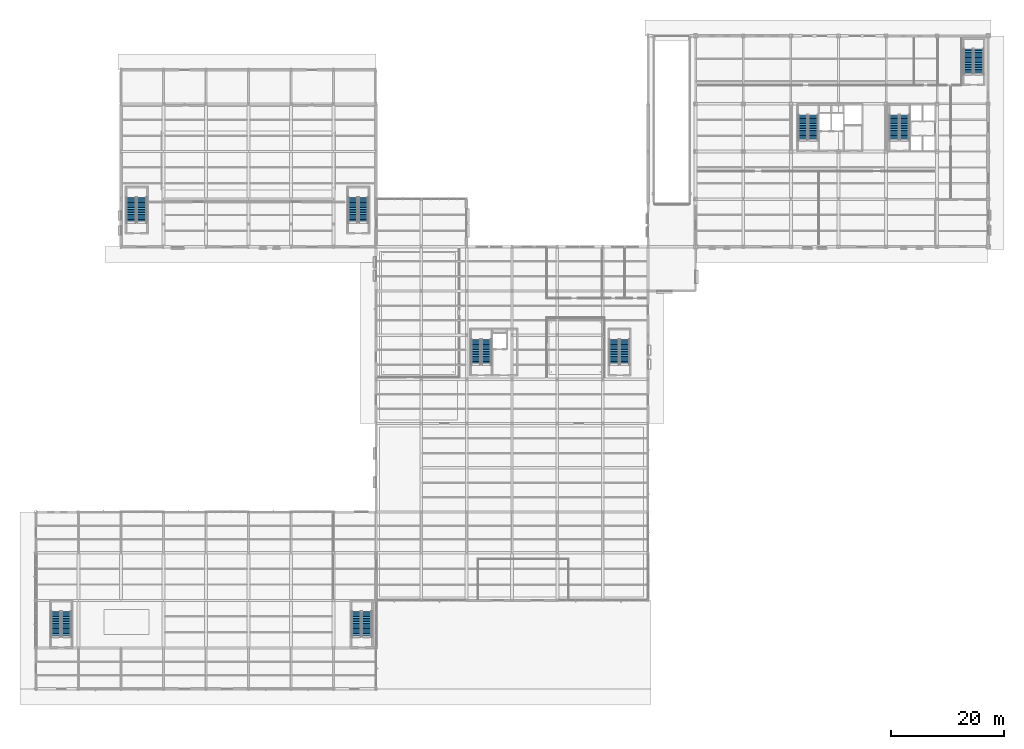
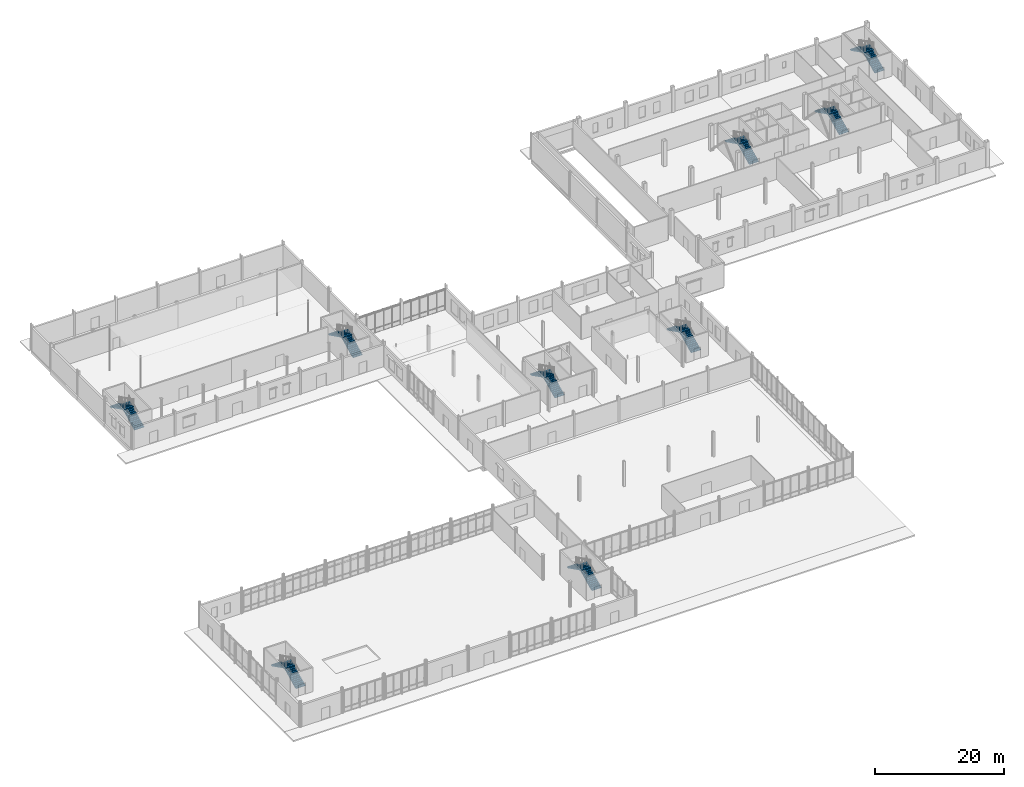
# One storey, part 61 of 82: 18 stair flights, 9 elements without a shape of their own.
"""IFC4 building model written with IfcOpenShell, lengths in metres."""

from ifc_helpers import new_model, si_unit, direction, frame, origin, place, context, subcontext, project, spatial, polyline, outline, extrude, material, type_object, element, aggregate, save


model = new_model("IFC4")

# Units and contexts
model_context = context("Model", 3, precision=1e-05, world=origin(), true_north=direction((0.0, 1.0)))
body_context = subcontext(model_context, "Body", "Model", "MODEL_VIEW")
ifc_project = project(units=[si_unit("LENGTHUNIT", "METRE"), si_unit("AREAUNIT", "SQUARE_METRE"), si_unit("VOLUMEUNIT", "CUBIC_METRE"), si_unit("PLANEANGLEUNIT", "RADIAN"), si_unit("MASSUNIT", "GRAM", prefix="KILO")], contexts=[model_context])

# Site, building, storey
site_placement = place(None, origin())
site = spatial("IfcSite", under=ifc_project, at=site_placement, CompositionType="ELEMENT")
building_placement = place(site_placement, origin())
building = spatial("IfcBuilding", under=site, at=building_placement, Name="Yukiwa Park Conservatory and Herbarium", CompositionType="ELEMENT")
storey_placement = place(building_placement, origin())
storey = spatial("IfcBuildingStorey", under=building, at=storey_placement, Name="L00", CompositionType="ELEMENT", Elevation=0.0)

# Stair, stair flights
ifc_material_1 = material(Name="Concrete C40", Category="concrete")
stair_type_1 = type_object("IfcStairType", Name="ST-DOGLEG-ST-T1", PredefinedType="HALF_TURN_STAIR", material=ifc_material_1)
stair_1_placement = place(storey_placement, origin())
stair_1 = element("IfcStair", 1, at=stair_1_placement, inside=storey, type_object=stair_type_1, Name="L00 Protected Smoke-Proof Stair ST-T1", PredefinedType="HALF_TURN_STAIR")
ifc_material_2 = material(Name="Concrete C40", Category="concrete")
stair_flight_type_1 = type_object("IfcStairFlightType", Name="STF-RC-1680", PredefinedType="STRAIGHT", material=ifc_material_2)
stair_flight_1_placement = place(storey_placement, frame((137.159912109375, 96.72998046875, 0.0), z_axis=(0.0, 0.0, 1.0), x_axis=(0.0, 1.0, 0.0)))
stair_flight_1 = element("IfcStairFlight", 2, at=stair_flight_1_placement, type_object=stair_flight_type_1, Name="ST-T1 flight 1", NumberOfRisers=16, NumberOfTreads=15, PredefinedType="STRAIGHT", RiserHeight=0.15, TreadLength=0.3, context=body_context, shape_type="SweptSolid", body=[
    extrude(outline(polyline([(0.0, 0.0), (0.0, 0.14990234375), (0.300048828125, 0.14990234375), (0.300048828125, 0.300048828125), (0.60009765625, 0.300048828125), (0.60009765625, 0.449951171875), (0.89990234375, 0.449951171875), (0.89990234375, 0.60009765625), (1.199951171875, 0.60009765625), (1.199951171875, 0.75), (1.5, 0.75), (1.5, 0.89990234375), (1.800048828125, 0.89990234375), (1.800048828125, 1.050048828125), (2.10009765625, 1.050048828125), (2.10009765625, 1.199951171875), (2.39990234375, 1.199951171875), (2.39990234375, 1.35009765625), (2.699951171875, 1.35009765625), (2.699951171875, 1.5), (3.0, 1.5), (3.0, 1.64990234375), (3.300048828125, 1.64990234375), (3.300048828125, 1.800048828125), (3.60009765625, 1.800048828125), (3.60009765625, 1.949951171875), (3.89990234375, 1.949951171875), (3.89990234375, 2.10009765625), (4.199951171875, 2.10009765625), (4.199951171875, 2.25), (4.5, 2.25), (4.5, 2.39990234375), (4.5, 2.08251953125), (0.335205078125, 0.0), (0.0, 0.0)])), frame((0.0, 0.83984375, 0.0), z_axis=(0.0, -1.0, 0.0), x_axis=(1.0, 0.0, 0.0)), (0.0, 0.0, 1.0), 1.679931640625),
])
stair_flight_2_placement = place(storey_placement, frame((135.330078125, 101.22998046875, 2.39990234375), z_axis=(0.0, 0.0, 1.0), x_axis=(0.0, -1.0, 0.0)))
stair_flight_2 = element("IfcStairFlight", 3, at=stair_flight_2_placement, type_object=stair_flight_type_1, Name="ST-T1 flight 2", NumberOfRisers=16, NumberOfTreads=15, PredefinedType="STRAIGHT", RiserHeight=0.15, TreadLength=0.3, context=body_context, shape_type="SweptSolid", body=[
    extrude(outline(polyline([(0.0, 0.0), (0.0, 0.14990234375), (0.300048828125, 0.14990234375), (0.300048828125, 0.300048828125), (0.60009765625, 0.300048828125), (0.60009765625, 0.449951171875), (0.89990234375, 0.449951171875), (0.89990234375, 0.60009765625), (1.199951171875, 0.60009765625), (1.199951171875, 0.75), (1.5, 0.75), (1.5, 0.89990234375), (1.800048828125, 0.89990234375), (1.800048828125, 1.050048828125), (2.10009765625, 1.050048828125), (2.10009765625, 1.199951171875), (2.39990234375, 1.199951171875), (2.39990234375, 1.35009765625), (2.699951171875, 1.35009765625), (2.699951171875, 1.5), (3.0, 1.5), (3.0, 1.64990234375), (3.300048828125, 1.64990234375), (3.300048828125, 1.800048828125), (3.60009765625, 1.800048828125), (3.60009765625, 1.949951171875), (3.89990234375, 1.949951171875), (3.89990234375, 2.10009765625), (4.199951171875, 2.10009765625), (4.199951171875, 2.25), (4.5, 2.25), (4.5, 2.39990234375), (4.5, 2.08251953125), (0.335205078125, 0.0), (0.0, 0.0)])), frame((0.0, 0.83984375, 0.0), z_axis=(0.0, -1.0, 0.0), x_axis=(1.0, 0.0, 0.0)), (0.0, 0.0, 1.0), 1.679931640625),
])
aggregate(stair_1, [stair_flight_1, stair_flight_2])

ifc_material_3 = material(Name="Concrete C40", Category="concrete")
stair_type_2 = type_object("IfcStairType", Name="ST-DOGLEG-ST-T2", PredefinedType="HALF_TURN_STAIR", material=ifc_material_3)
stair_2_placement = place(storey_placement, origin())
stair_2 = element("IfcStair", 4, at=stair_2_placement, inside=storey, type_object=stair_type_2, Name="L00 Protected Smoke-Proof Stair ST-T2", PredefinedType="HALF_TURN_STAIR")
stair_flight_3_placement = place(storey_placement, frame((153.27001953125, 96.72998046875, 0.0), z_axis=(0.0, 0.0, 1.0), x_axis=(0.0, 1.0, 0.0)))
stair_flight_3 = element("IfcStairFlight", 5, at=stair_flight_3_placement, type_object=stair_flight_type_1, Name="ST-T2 flight 1", NumberOfRisers=16, NumberOfTreads=15, PredefinedType="STRAIGHT", RiserHeight=0.15, TreadLength=0.3, context=body_context, shape_type="SweptSolid", body=[
    extrude(outline(polyline([(0.0, 0.0), (0.0, 0.14990234375), (0.300048828125, 0.14990234375), (0.300048828125, 0.300048828125), (0.60009765625, 0.300048828125), (0.60009765625, 0.449951171875), (0.89990234375, 0.449951171875), (0.89990234375, 0.60009765625), (1.199951171875, 0.60009765625), (1.199951171875, 0.75), (1.5, 0.75), (1.5, 0.89990234375), (1.800048828125, 0.89990234375), (1.800048828125, 1.050048828125), (2.10009765625, 1.050048828125), (2.10009765625, 1.199951171875), (2.39990234375, 1.199951171875), (2.39990234375, 1.35009765625), (2.699951171875, 1.35009765625), (2.699951171875, 1.5), (3.0, 1.5), (3.0, 1.64990234375), (3.300048828125, 1.64990234375), (3.300048828125, 1.800048828125), (3.60009765625, 1.800048828125), (3.60009765625, 1.949951171875), (3.89990234375, 1.949951171875), (3.89990234375, 2.10009765625), (4.199951171875, 2.10009765625), (4.199951171875, 2.25), (4.5, 2.25), (4.5, 2.39990234375), (4.5, 2.08251953125), (0.335205078125, 0.0), (0.0, 0.0)])), frame((0.0, 0.83984375, 0.0), z_axis=(0.0, -1.0, 0.0), x_axis=(1.0, 0.0, 0.0)), (0.0, 0.0, 1.0), 1.679931640625),
])
stair_flight_4_placement = place(storey_placement, frame((151.43994140625, 101.22998046875, 2.39990234375), z_axis=(0.0, 0.0, 1.0), x_axis=(0.0, -1.0, 0.0)))
stair_flight_4 = element("IfcStairFlight", 6, at=stair_flight_4_placement, type_object=stair_flight_type_1, Name="ST-T2 flight 2", NumberOfRisers=16, NumberOfTreads=15, PredefinedType="STRAIGHT", RiserHeight=0.15, TreadLength=0.3, context=body_context, shape_type="SweptSolid", body=[
    extrude(outline(polyline([(0.0, 0.0), (0.0, 0.14990234375), (0.300048828125, 0.14990234375), (0.300048828125, 0.300048828125), (0.60009765625, 0.300048828125), (0.60009765625, 0.449951171875), (0.89990234375, 0.449951171875), (0.89990234375, 0.60009765625), (1.199951171875, 0.60009765625), (1.199951171875, 0.75), (1.5, 0.75), (1.5, 0.89990234375), (1.800048828125, 0.89990234375), (1.800048828125, 1.050048828125), (2.10009765625, 1.050048828125), (2.10009765625, 1.199951171875), (2.39990234375, 1.199951171875), (2.39990234375, 1.35009765625), (2.699951171875, 1.35009765625), (2.699951171875, 1.5), (3.0, 1.5), (3.0, 1.64990234375), (3.300048828125, 1.64990234375), (3.300048828125, 1.800048828125), (3.60009765625, 1.800048828125), (3.60009765625, 1.949951171875), (3.89990234375, 1.949951171875), (3.89990234375, 2.10009765625), (4.199951171875, 2.10009765625), (4.199951171875, 2.25), (4.5, 2.25), (4.5, 2.39990234375), (4.5, 2.08251953125), (0.335205078125, 0.0), (0.0, 0.0)])), frame((0.0, 0.83984375, 0.0), z_axis=(0.0, -1.0, 0.0), x_axis=(1.0, 0.0, 0.0)), (0.0, 0.0, 1.0), 1.679931640625),
])
aggregate(stair_2, [stair_flight_3, stair_flight_4])

ifc_material_4 = material(Name="Concrete C40", Category="concrete")
stair_type_3 = type_object("IfcStairType", Name="ST-DOGLEG-ST-T3", PredefinedType="HALF_TURN_STAIR", material=ifc_material_4)
stair_3_placement = place(storey_placement, origin())
stair_3 = element("IfcStair", 7, at=stair_3_placement, inside=storey, type_object=stair_type_3, Name="L00 Protected Smoke-Proof Stair ST-T3", PredefinedType="HALF_TURN_STAIR")
stair_flight_5_placement = place(storey_placement, frame((166.360107421875, 108.3798828125, 0.0), z_axis=(0.0, 0.0, 1.0), x_axis=(0.0, 1.0, 0.0)))
stair_flight_5 = element("IfcStairFlight", 8, at=stair_flight_5_placement, type_object=stair_flight_type_1, Name="ST-T3 flight 1", NumberOfRisers=16, NumberOfTreads=15, PredefinedType="STRAIGHT", RiserHeight=0.15, TreadLength=0.3, context=body_context, shape_type="SweptSolid", body=[
    extrude(outline(polyline([(0.0, 0.0), (0.0, 0.14990234375), (0.300048828125, 0.14990234375), (0.300048828125, 0.300048828125), (0.60009765625, 0.300048828125), (0.60009765625, 0.449951171875), (0.89990234375, 0.449951171875), (0.89990234375, 0.60009765625), (1.199951171875, 0.60009765625), (1.199951171875, 0.75), (1.5, 0.75), (1.5, 0.89990234375), (1.800048828125, 0.89990234375), (1.800048828125, 1.050048828125), (2.10009765625, 1.050048828125), (2.10009765625, 1.199951171875), (2.39990234375, 1.199951171875), (2.39990234375, 1.35009765625), (2.699951171875, 1.35009765625), (2.699951171875, 1.5), (3.0, 1.5), (3.0, 1.64990234375), (3.300048828125, 1.64990234375), (3.300048828125, 1.800048828125), (3.60009765625, 1.800048828125), (3.60009765625, 1.949951171875), (3.89990234375, 1.949951171875), (3.89990234375, 2.10009765625), (4.199951171875, 2.10009765625), (4.199951171875, 2.25), (4.5, 2.25), (4.5, 2.39990234375), (4.5, 2.08251953125), (0.335205078125, 0.0), (0.0, 0.0)])), frame((0.0, 0.83984375, 0.0), z_axis=(0.0, -1.0, 0.0), x_axis=(1.0, 0.0, 0.0)), (0.0, 0.0, 1.0), 1.679931640625),
])
stair_flight_6_placement = place(storey_placement, frame((164.530029296875, 112.8798828125, 2.39990234375), z_axis=(0.0, 0.0, 1.0), x_axis=(0.0, -1.0, 0.0)))
stair_flight_6 = element("IfcStairFlight", 9, at=stair_flight_6_placement, type_object=stair_flight_type_1, Name="ST-T3 flight 2", NumberOfRisers=16, NumberOfTreads=15, PredefinedType="STRAIGHT", RiserHeight=0.15, TreadLength=0.3, context=body_context, shape_type="SweptSolid", body=[
    extrude(outline(polyline([(0.0, 0.0), (0.0, 0.14990234375), (0.300048828125, 0.14990234375), (0.300048828125, 0.300048828125), (0.60009765625, 0.300048828125), (0.60009765625, 0.449951171875), (0.89990234375, 0.449951171875), (0.89990234375, 0.60009765625), (1.199951171875, 0.60009765625), (1.199951171875, 0.75), (1.5, 0.75), (1.5, 0.89990234375), (1.800048828125, 0.89990234375), (1.800048828125, 1.050048828125), (2.10009765625, 1.050048828125), (2.10009765625, 1.199951171875), (2.39990234375, 1.199951171875), (2.39990234375, 1.35009765625), (2.699951171875, 1.35009765625), (2.699951171875, 1.5), (3.0, 1.5), (3.0, 1.64990234375), (3.300048828125, 1.64990234375), (3.300048828125, 1.800048828125), (3.60009765625, 1.800048828125), (3.60009765625, 1.949951171875), (3.89990234375, 1.949951171875), (3.89990234375, 2.10009765625), (4.199951171875, 2.10009765625), (4.199951171875, 2.25), (4.5, 2.25), (4.5, 2.39990234375), (4.5, 2.08251953125), (0.335205078125, 0.0), (0.0, 0.0)])), frame((0.0, 0.83984375, 0.0), z_axis=(0.0, -1.0, 0.0), x_axis=(1.0, 0.0, 0.0)), (0.0, 0.0, 1.0), 1.679931640625),
])
aggregate(stair_3, [stair_flight_5, stair_flight_6])

ifc_material_5 = material(Name="Concrete C40", Category="concrete")
stair_type_4 = type_object("IfcStairType", Name="ST-DOGLEG-ST-C1", PredefinedType="HALF_TURN_STAIR", material=ifc_material_5)
stair_4_placement = place(storey_placement, origin())
stair_4 = element("IfcStair", 10, at=stair_4_placement, inside=storey, type_object=stair_type_4, Name="L00 Conservatory West Exit Stair ST-C1", PredefinedType="HALF_TURN_STAIR")
ifc_material_6 = material(Name="Concrete C40", Category="concrete")
stair_flight_type_2 = type_object("IfcStairFlightType", Name="STF-RC-1700", PredefinedType="STRAIGHT", material=ifc_material_6)
stair_flight_7_placement = place(storey_placement, frame((5.39990234375, 9.14990234375, 0.0), z_axis=(0.0, 0.0, 1.0), x_axis=(0.0, 1.0, 0.0)))
stair_flight_7 = element("IfcStairFlight", 11, at=stair_flight_7_placement, type_object=stair_flight_type_2, Name="ST-C1 flight 1", NumberOfRisers=16, NumberOfTreads=15, PredefinedType="STRAIGHT", RiserHeight=0.15, TreadLength=0.3, context=body_context, shape_type="SweptSolid", body=[
    extrude(outline(polyline([(0.0, 0.0), (0.0, 0.14990234375), (0.300048828125, 0.14990234375), (0.300048828125, 0.300048828125), (0.60009765625, 0.300048828125), (0.60009765625, 0.449951171875), (0.89990234375, 0.449951171875), (0.89990234375, 0.60009765625), (1.199951171875, 0.60009765625), (1.199951171875, 0.75), (1.5, 0.75), (1.5, 0.89990234375), (1.800048828125, 0.89990234375), (1.800048828125, 1.050048828125), (2.10009765625, 1.050048828125), (2.10009765625, 1.199951171875), (2.39990234375, 1.199951171875), (2.39990234375, 1.35009765625), (2.699951171875, 1.35009765625), (2.699951171875, 1.5), (3.0, 1.5), (3.0, 1.64990234375), (3.300048828125, 1.64990234375), (3.300048828125, 1.800048828125), (3.60009765625, 1.800048828125), (3.60009765625, 1.949951171875), (3.89990234375, 1.949951171875), (3.89990234375, 2.10009765625), (4.199951171875, 2.10009765625), (4.199951171875, 2.25), (4.5, 2.25), (4.5, 2.39990234375), (4.5, 2.08251953125), (0.335205078125, 0.0), (0.0, 0.0)])), frame((0.0, 0.85009765625, 0.0), z_axis=(0.0, -1.0, 0.0), x_axis=(1.0, 0.0, 0.0)), (0.0, 0.0, 1.0), 1.699951171875),
])
stair_flight_8_placement = place(storey_placement, frame((3.550048828125, 13.64990234375, 2.39990234375), z_axis=(0.0, 0.0, 1.0), x_axis=(0.0, -1.0, 0.0)))
stair_flight_8 = element("IfcStairFlight", 12, at=stair_flight_8_placement, type_object=stair_flight_type_2, Name="ST-C1 flight 2", NumberOfRisers=16, NumberOfTreads=15, PredefinedType="STRAIGHT", RiserHeight=0.15, TreadLength=0.3, context=body_context, shape_type="SweptSolid", body=[
    extrude(outline(polyline([(0.0, 0.0), (0.0, 0.14990234375), (0.300048828125, 0.14990234375), (0.300048828125, 0.300048828125), (0.60009765625, 0.300048828125), (0.60009765625, 0.449951171875), (0.89990234375, 0.449951171875), (0.89990234375, 0.60009765625), (1.199951171875, 0.60009765625), (1.199951171875, 0.75), (1.5, 0.75), (1.5, 0.89990234375), (1.800048828125, 0.89990234375), (1.800048828125, 1.050048828125), (2.10009765625, 1.050048828125), (2.10009765625, 1.199951171875), (2.39990234375, 1.199951171875), (2.39990234375, 1.35009765625), (2.699951171875, 1.35009765625), (2.699951171875, 1.5), (3.0, 1.5), (3.0, 1.64990234375), (3.300048828125, 1.64990234375), (3.300048828125, 1.800048828125), (3.60009765625, 1.800048828125), (3.60009765625, 1.949951171875), (3.89990234375, 1.949951171875), (3.89990234375, 2.10009765625), (4.199951171875, 2.10009765625), (4.199951171875, 2.25), (4.5, 2.25), (4.5, 2.39990234375), (4.5, 2.08251953125), (0.335205078125, 0.0), (0.0, 0.0)])), frame((0.0, 0.85009765625, 0.0), z_axis=(0.0, -1.0, 0.0), x_axis=(1.0, 0.0, 0.0)), (0.0, 0.0, 1.0), 1.699951171875),
])
aggregate(stair_4, [stair_flight_7, stair_flight_8])

ifc_material_7 = material(Name="Concrete C40", Category="concrete")
stair_type_5 = type_object("IfcStairType", Name="ST-DOGLEG-ST-C2", PredefinedType="HALF_TURN_STAIR", material=ifc_material_7)
stair_5_placement = place(storey_placement, origin())
stair_5 = element("IfcStair", 13, at=stair_5_placement, inside=storey, type_object=stair_type_5, Name="L00 Conservatory East Exit Stair ST-C2", PredefinedType="HALF_TURN_STAIR")
stair_flight_9_placement = place(storey_placement, frame((58.39990234375, 9.14990234375, 0.0), z_axis=(0.0, 0.0, 1.0), x_axis=(0.0, 1.0, 0.0)))
stair_flight_9 = element("IfcStairFlight", 14, at=stair_flight_9_placement, type_object=stair_flight_type_2, Name="ST-C2 flight 1", NumberOfRisers=16, NumberOfTreads=15, PredefinedType="STRAIGHT", RiserHeight=0.15, TreadLength=0.3, context=body_context, shape_type="SweptSolid", body=[
    extrude(outline(polyline([(0.0, 0.0), (0.0, 0.14990234375), (0.300048828125, 0.14990234375), (0.300048828125, 0.300048828125), (0.60009765625, 0.300048828125), (0.60009765625, 0.449951171875), (0.89990234375, 0.449951171875), (0.89990234375, 0.60009765625), (1.199951171875, 0.60009765625), (1.199951171875, 0.75), (1.5, 0.75), (1.5, 0.89990234375), (1.800048828125, 0.89990234375), (1.800048828125, 1.050048828125), (2.10009765625, 1.050048828125), (2.10009765625, 1.199951171875), (2.39990234375, 1.199951171875), (2.39990234375, 1.35009765625), (2.699951171875, 1.35009765625), (2.699951171875, 1.5), (3.0, 1.5), (3.0, 1.64990234375), (3.300048828125, 1.64990234375), (3.300048828125, 1.800048828125), (3.60009765625, 1.800048828125), (3.60009765625, 1.949951171875), (3.89990234375, 1.949951171875), (3.89990234375, 2.10009765625), (4.199951171875, 2.10009765625), (4.199951171875, 2.25), (4.5, 2.25), (4.5, 2.39990234375), (4.5, 2.08251953125), (0.335205078125, 0.0), (0.0, 0.0)])), frame((0.0, 0.85009765625, 0.0), z_axis=(0.0, -1.0, 0.0), x_axis=(1.0, 0.0, 0.0)), (0.0, 0.0, 1.0), 1.699951171875),
])
stair_flight_10_placement = place(storey_placement, frame((56.550048828125, 13.64990234375, 2.39990234375), z_axis=(0.0, 0.0, 1.0), x_axis=(0.0, -1.0, 0.0)))
stair_flight_10 = element("IfcStairFlight", 15, at=stair_flight_10_placement, type_object=stair_flight_type_2, Name="ST-C2 flight 2", NumberOfRisers=16, NumberOfTreads=15, PredefinedType="STRAIGHT", RiserHeight=0.15, TreadLength=0.3, context=body_context, shape_type="SweptSolid", body=[
    extrude(outline(polyline([(0.0, 0.0), (0.0, 0.14990234375), (0.300048828125, 0.14990234375), (0.300048828125, 0.300048828125), (0.60009765625, 0.300048828125), (0.60009765625, 0.449951171875), (0.89990234375, 0.449951171875), (0.89990234375, 0.60009765625), (1.199951171875, 0.60009765625), (1.199951171875, 0.75), (1.5, 0.75), (1.5, 0.89990234375), (1.800048828125, 0.89990234375), (1.800048828125, 1.050048828125), (2.10009765625, 1.050048828125), (2.10009765625, 1.199951171875), (2.39990234375, 1.199951171875), (2.39990234375, 1.35009765625), (2.699951171875, 1.35009765625), (2.699951171875, 1.5), (3.0, 1.5), (3.0, 1.64990234375), (3.300048828125, 1.64990234375), (3.300048828125, 1.800048828125), (3.60009765625, 1.800048828125), (3.60009765625, 1.949951171875), (3.89990234375, 1.949951171875), (3.89990234375, 2.10009765625), (4.199951171875, 2.10009765625), (4.199951171875, 2.25), (4.5, 2.25), (4.5, 2.39990234375), (4.5, 2.08251953125), (0.335205078125, 0.0), (0.0, 0.0)])), frame((0.0, 0.85009765625, 0.0), z_axis=(0.0, -1.0, 0.0), x_axis=(1.0, 0.0, 0.0)), (0.0, 0.0, 1.0), 1.699951171875),
])
aggregate(stair_5, [stair_flight_9, stair_flight_10])

ifc_material_8 = material(Name="Concrete C40", Category="concrete")
stair_type_6 = type_object("IfcStairType", Name="ST-DOGLEG-ST-V1", PredefinedType="HALF_TURN_STAIR", material=ifc_material_8)
stair_6_placement = place(storey_placement, origin())
stair_6 = element("IfcStair", 16, at=stair_6_placement, inside=storey, type_object=stair_type_6, Name="L00 Visitor Core Exit Stair ST-V1", PredefinedType="HALF_TURN_STAIR")
stair_flight_11_placement = place(storey_placement, frame((79.5, 57.14990234375, 0.0), z_axis=(0.0, 0.0, 1.0), x_axis=(0.0, 1.0, 0.0)))
stair_flight_11 = element("IfcStairFlight", 17, at=stair_flight_11_placement, type_object=stair_flight_type_2, Name="ST-V1 flight 1", NumberOfRisers=16, NumberOfTreads=15, PredefinedType="STRAIGHT", RiserHeight=0.15, TreadLength=0.3, context=body_context, shape_type="SweptSolid", body=[
    extrude(outline(polyline([(0.0, 0.0), (0.0, 0.14990234375), (0.300048828125, 0.14990234375), (0.300048828125, 0.300048828125), (0.60009765625, 0.300048828125), (0.60009765625, 0.449951171875), (0.89990234375, 0.449951171875), (0.89990234375, 0.60009765625), (1.199951171875, 0.60009765625), (1.199951171875, 0.75), (1.5, 0.75), (1.5, 0.89990234375), (1.800048828125, 0.89990234375), (1.800048828125, 1.050048828125), (2.10009765625, 1.050048828125), (2.10009765625, 1.199951171875), (2.39990234375, 1.199951171875), (2.39990234375, 1.35009765625), (2.699951171875, 1.35009765625), (2.699951171875, 1.5), (3.0, 1.5), (3.0, 1.64990234375), (3.300048828125, 1.64990234375), (3.300048828125, 1.800048828125), (3.60009765625, 1.800048828125), (3.60009765625, 1.949951171875), (3.89990234375, 1.949951171875), (3.89990234375, 2.10009765625), (4.199951171875, 2.10009765625), (4.199951171875, 2.25), (4.5, 2.25), (4.5, 2.39990234375), (4.5, 2.08251953125), (0.335205078125, 0.0), (0.0, 0.0)])), frame((0.0, 0.85009765625, 0.0), z_axis=(0.0, -1.0, 0.0), x_axis=(1.0, 0.0, 0.0)), (0.0, 0.0, 1.0), 1.699951171875),
])
stair_flight_12_placement = place(storey_placement, frame((77.64990234375, 61.64990234375, 2.39990234375), z_axis=(0.0, 0.0, 1.0), x_axis=(0.0, -1.0, 0.0)))
stair_flight_12 = element("IfcStairFlight", 18, at=stair_flight_12_placement, type_object=stair_flight_type_2, Name="ST-V1 flight 2", NumberOfRisers=16, NumberOfTreads=15, PredefinedType="STRAIGHT", RiserHeight=0.15, TreadLength=0.3, context=body_context, shape_type="SweptSolid", body=[
    extrude(outline(polyline([(0.0, 0.0), (0.0, 0.14990234375), (0.300048828125, 0.14990234375), (0.300048828125, 0.300048828125), (0.60009765625, 0.300048828125), (0.60009765625, 0.449951171875), (0.89990234375, 0.449951171875), (0.89990234375, 0.60009765625), (1.199951171875, 0.60009765625), (1.199951171875, 0.75), (1.5, 0.75), (1.5, 0.89990234375), (1.800048828125, 0.89990234375), (1.800048828125, 1.050048828125), (2.10009765625, 1.050048828125), (2.10009765625, 1.199951171875), (2.39990234375, 1.199951171875), (2.39990234375, 1.35009765625), (2.699951171875, 1.35009765625), (2.699951171875, 1.5), (3.0, 1.5), (3.0, 1.64990234375), (3.300048828125, 1.64990234375), (3.300048828125, 1.800048828125), (3.60009765625, 1.800048828125), (3.60009765625, 1.949951171875), (3.89990234375, 1.949951171875), (3.89990234375, 2.10009765625), (4.199951171875, 2.10009765625), (4.199951171875, 2.25), (4.5, 2.25), (4.5, 2.39990234375), (4.5, 2.08251953125), (0.335205078125, 0.0), (0.0, 0.0)])), frame((0.0, 0.85009765625, 0.0), z_axis=(0.0, -1.0, 0.0), x_axis=(1.0, 0.0, 0.0)), (0.0, 0.0, 1.0), 1.699951171875),
])
aggregate(stair_6, [stair_flight_11, stair_flight_12])

ifc_material_9 = material(Name="Concrete C40", Category="concrete")
stair_type_7 = type_object("IfcStairType", Name="ST-DOGLEG-ST-V2", PredefinedType="HALF_TURN_STAIR", material=ifc_material_9)
stair_7_placement = place(storey_placement, origin())
stair_7 = element("IfcStair", 19, at=stair_7_placement, inside=storey, type_object=stair_type_7, Name="L00 Visitor East Exit Stair ST-V2", PredefinedType="HALF_TURN_STAIR")
stair_flight_13_placement = place(storey_placement, frame((103.89990234375, 57.14990234375, 0.0), z_axis=(0.0, 0.0, 1.0), x_axis=(0.0, 1.0, 0.0)))
stair_flight_13 = element("IfcStairFlight", 20, at=stair_flight_13_placement, type_object=stair_flight_type_2, Name="ST-V2 flight 1", NumberOfRisers=16, NumberOfTreads=15, PredefinedType="STRAIGHT", RiserHeight=0.15, TreadLength=0.3, context=body_context, shape_type="SweptSolid", body=[
    extrude(outline(polyline([(0.0, 0.0), (0.0, 0.14990234375), (0.300048828125, 0.14990234375), (0.300048828125, 0.300048828125), (0.60009765625, 0.300048828125), (0.60009765625, 0.449951171875), (0.89990234375, 0.449951171875), (0.89990234375, 0.60009765625), (1.199951171875, 0.60009765625), (1.199951171875, 0.75), (1.5, 0.75), (1.5, 0.89990234375), (1.800048828125, 0.89990234375), (1.800048828125, 1.050048828125), (2.10009765625, 1.050048828125), (2.10009765625, 1.199951171875), (2.39990234375, 1.199951171875), (2.39990234375, 1.35009765625), (2.699951171875, 1.35009765625), (2.699951171875, 1.5), (3.0, 1.5), (3.0, 1.64990234375), (3.300048828125, 1.64990234375), (3.300048828125, 1.800048828125), (3.60009765625, 1.800048828125), (3.60009765625, 1.949951171875), (3.89990234375, 1.949951171875), (3.89990234375, 2.10009765625), (4.199951171875, 2.10009765625), (4.199951171875, 2.25), (4.5, 2.25), (4.5, 2.39990234375), (4.5, 2.08251953125), (0.335205078125, 0.0), (0.0, 0.0)])), frame((0.0, 0.85009765625, 0.0), z_axis=(0.0, -1.0, 0.0), x_axis=(1.0, 0.0, 0.0)), (0.0, 0.0, 1.0), 1.699951171875),
])
stair_flight_14_placement = place(storey_placement, frame((102.050048828125, 61.64990234375, 2.39990234375), z_axis=(0.0, 0.0, 1.0), x_axis=(0.0, -1.0, 0.0)))
stair_flight_14 = element("IfcStairFlight", 21, at=stair_flight_14_placement, type_object=stair_flight_type_2, Name="ST-V2 flight 2", NumberOfRisers=16, NumberOfTreads=15, PredefinedType="STRAIGHT", RiserHeight=0.15, TreadLength=0.3, context=body_context, shape_type="SweptSolid", body=[
    extrude(outline(polyline([(0.0, 0.0), (0.0, 0.14990234375), (0.300048828125, 0.14990234375), (0.300048828125, 0.300048828125), (0.60009765625, 0.300048828125), (0.60009765625, 0.449951171875), (0.89990234375, 0.449951171875), (0.89990234375, 0.60009765625), (1.199951171875, 0.60009765625), (1.199951171875, 0.75), (1.5, 0.75), (1.5, 0.89990234375), (1.800048828125, 0.89990234375), (1.800048828125, 1.050048828125), (2.10009765625, 1.050048828125), (2.10009765625, 1.199951171875), (2.39990234375, 1.199951171875), (2.39990234375, 1.35009765625), (2.699951171875, 1.35009765625), (2.699951171875, 1.5), (3.0, 1.5), (3.0, 1.64990234375), (3.300048828125, 1.64990234375), (3.300048828125, 1.800048828125), (3.60009765625, 1.800048828125), (3.60009765625, 1.949951171875), (3.89990234375, 1.949951171875), (3.89990234375, 2.10009765625), (4.199951171875, 2.10009765625), (4.199951171875, 2.25), (4.5, 2.25), (4.5, 2.39990234375), (4.5, 2.08251953125), (0.335205078125, 0.0), (0.0, 0.0)])), frame((0.0, 0.85009765625, 0.0), z_axis=(0.0, -1.0, 0.0), x_axis=(1.0, 0.0, 0.0)), (0.0, 0.0, 1.0), 1.699951171875),
])
aggregate(stair_7, [stair_flight_13, stair_flight_14])

ifc_material_10 = material(Name="Concrete C40", Category="concrete")
stair_type_8 = type_object("IfcStairType", Name="ST-DOGLEG-ST-A1", PredefinedType="HALF_TURN_STAIR", material=ifc_material_10)
stair_8_placement = place(storey_placement, origin())
stair_8 = element("IfcStair", 22, at=stair_8_placement, inside=storey, type_object=stair_type_8, Name="L00 Auditorium West Exit Stair ST-A1", PredefinedType="HALF_TURN_STAIR")
stair_flight_15_placement = place(storey_placement, frame((18.699951171875, 82.199951171875, 0.0), z_axis=(0.0, 0.0, 1.0), x_axis=(0.0, 1.0, 0.0)))
stair_flight_15 = element("IfcStairFlight", 23, at=stair_flight_15_placement, type_object=stair_flight_type_2, Name="ST-A1 flight 1", NumberOfRisers=16, NumberOfTreads=15, PredefinedType="STRAIGHT", RiserHeight=0.15, TreadLength=0.3, context=body_context, shape_type="SweptSolid", body=[
    extrude(outline(polyline([(0.0, 0.0), (0.0, 0.14990234375), (0.300048828125, 0.14990234375), (0.300048828125, 0.300048828125), (0.60009765625, 0.300048828125), (0.60009765625, 0.449951171875), (0.89990234375, 0.449951171875), (0.89990234375, 0.60009765625), (1.199951171875, 0.60009765625), (1.199951171875, 0.75), (1.5, 0.75), (1.5, 0.89990234375), (1.800048828125, 0.89990234375), (1.800048828125, 1.050048828125), (2.10009765625, 1.050048828125), (2.10009765625, 1.199951171875), (2.39990234375, 1.199951171875), (2.39990234375, 1.35009765625), (2.699951171875, 1.35009765625), (2.699951171875, 1.5), (3.0, 1.5), (3.0, 1.64990234375), (3.300048828125, 1.64990234375), (3.300048828125, 1.800048828125), (3.60009765625, 1.800048828125), (3.60009765625, 1.949951171875), (3.89990234375, 1.949951171875), (3.89990234375, 2.10009765625), (4.199951171875, 2.10009765625), (4.199951171875, 2.25), (4.5, 2.25), (4.5, 2.39990234375), (4.5, 2.08251953125), (0.335205078125, 0.0), (0.0, 0.0)])), frame((0.0, 0.85009765625, 0.0), z_axis=(0.0, -1.0, 0.0), x_axis=(1.0, 0.0, 0.0)), (0.0, 0.0, 1.0), 1.699951171875),
])
stair_flight_16_placement = place(storey_placement, frame((16.85009765625, 86.699951171875, 2.39990234375), z_axis=(0.0, 0.0, 1.0), x_axis=(0.0, -1.0, 0.0)))
stair_flight_16 = element("IfcStairFlight", 24, at=stair_flight_16_placement, type_object=stair_flight_type_2, Name="ST-A1 flight 2", NumberOfRisers=16, NumberOfTreads=15, PredefinedType="STRAIGHT", RiserHeight=0.15, TreadLength=0.3, context=body_context, shape_type="SweptSolid", body=[
    extrude(outline(polyline([(0.0, 0.0), (0.0, 0.14990234375), (0.300048828125, 0.14990234375), (0.300048828125, 0.300048828125), (0.60009765625, 0.300048828125), (0.60009765625, 0.449951171875), (0.89990234375, 0.449951171875), (0.89990234375, 0.60009765625), (1.199951171875, 0.60009765625), (1.199951171875, 0.75), (1.5, 0.75), (1.5, 0.89990234375), (1.800048828125, 0.89990234375), (1.800048828125, 1.050048828125), (2.10009765625, 1.050048828125), (2.10009765625, 1.199951171875), (2.39990234375, 1.199951171875), (2.39990234375, 1.35009765625), (2.699951171875, 1.35009765625), (2.699951171875, 1.5), (3.0, 1.5), (3.0, 1.64990234375), (3.300048828125, 1.64990234375), (3.300048828125, 1.800048828125), (3.60009765625, 1.800048828125), (3.60009765625, 1.949951171875), (3.89990234375, 1.949951171875), (3.89990234375, 2.10009765625), (4.199951171875, 2.10009765625), (4.199951171875, 2.25), (4.5, 2.25), (4.5, 2.39990234375), (4.5, 2.08251953125), (0.335205078125, 0.0), (0.0, 0.0)])), frame((0.0, 0.85009765625, 0.0), z_axis=(0.0, -1.0, 0.0), x_axis=(1.0, 0.0, 0.0)), (0.0, 0.0, 1.0), 1.699951171875),
])
aggregate(stair_8, [stair_flight_15, stair_flight_16])

ifc_material_11 = material(Name="Concrete C40", Category="concrete")
stair_type_9 = type_object("IfcStairType", Name="ST-DOGLEG-ST-A2", PredefinedType="HALF_TURN_STAIR", material=ifc_material_11)
stair_9_placement = place(storey_placement, origin())
stair_9 = element("IfcStair", 25, at=stair_9_placement, inside=storey, type_object=stair_type_9, Name="L00 Auditorium East Exit Stair ST-A2", PredefinedType="HALF_TURN_STAIR")
stair_flight_17_placement = place(storey_placement, frame((57.800048828125, 82.199951171875, 0.0), z_axis=(0.0, 0.0, 1.0), x_axis=(0.0, 1.0, 0.0)))
stair_flight_17 = element("IfcStairFlight", 26, at=stair_flight_17_placement, type_object=stair_flight_type_2, Name="ST-A2 flight 1", NumberOfRisers=16, NumberOfTreads=15, PredefinedType="STRAIGHT", RiserHeight=0.15, TreadLength=0.3, context=body_context, shape_type="SweptSolid", body=[
    extrude(outline(polyline([(0.0, 0.0), (0.0, 0.14990234375), (0.300048828125, 0.14990234375), (0.300048828125, 0.300048828125), (0.60009765625, 0.300048828125), (0.60009765625, 0.449951171875), (0.89990234375, 0.449951171875), (0.89990234375, 0.60009765625), (1.199951171875, 0.60009765625), (1.199951171875, 0.75), (1.5, 0.75), (1.5, 0.89990234375), (1.800048828125, 0.89990234375), (1.800048828125, 1.050048828125), (2.10009765625, 1.050048828125), (2.10009765625, 1.199951171875), (2.39990234375, 1.199951171875), (2.39990234375, 1.35009765625), (2.699951171875, 1.35009765625), (2.699951171875, 1.5), (3.0, 1.5), (3.0, 1.64990234375), (3.300048828125, 1.64990234375), (3.300048828125, 1.800048828125), (3.60009765625, 1.800048828125), (3.60009765625, 1.949951171875), (3.89990234375, 1.949951171875), (3.89990234375, 2.10009765625), (4.199951171875, 2.10009765625), (4.199951171875, 2.25), (4.5, 2.25), (4.5, 2.39990234375), (4.5, 2.08251953125), (0.335205078125, 0.0), (0.0, 0.0)])), frame((0.0, 0.85009765625, 0.0), z_axis=(0.0, -1.0, 0.0), x_axis=(1.0, 0.0, 0.0)), (0.0, 0.0, 1.0), 1.699951171875),
])
stair_flight_18_placement = place(storey_placement, frame((55.949951171875, 86.699951171875, 2.39990234375), z_axis=(0.0, 0.0, 1.0), x_axis=(0.0, -1.0, 0.0)))
stair_flight_18 = element("IfcStairFlight", 27, at=stair_flight_18_placement, type_object=stair_flight_type_2, Name="ST-A2 flight 2", NumberOfRisers=16, NumberOfTreads=15, PredefinedType="STRAIGHT", RiserHeight=0.15, TreadLength=0.3, context=body_context, shape_type="SweptSolid", body=[
    extrude(outline(polyline([(0.0, 0.0), (0.0, 0.14990234375), (0.300048828125, 0.14990234375), (0.300048828125, 0.300048828125), (0.60009765625, 0.300048828125), (0.60009765625, 0.449951171875), (0.89990234375, 0.449951171875), (0.89990234375, 0.60009765625), (1.199951171875, 0.60009765625), (1.199951171875, 0.75), (1.5, 0.75), (1.5, 0.89990234375), (1.800048828125, 0.89990234375), (1.800048828125, 1.050048828125), (2.10009765625, 1.050048828125), (2.10009765625, 1.199951171875), (2.39990234375, 1.199951171875), (2.39990234375, 1.35009765625), (2.699951171875, 1.35009765625), (2.699951171875, 1.5), (3.0, 1.5), (3.0, 1.64990234375), (3.300048828125, 1.64990234375), (3.300048828125, 1.800048828125), (3.60009765625, 1.800048828125), (3.60009765625, 1.949951171875), (3.89990234375, 1.949951171875), (3.89990234375, 2.10009765625), (4.199951171875, 2.10009765625), (4.199951171875, 2.25), (4.5, 2.25), (4.5, 2.39990234375), (4.5, 2.08251953125), (0.335205078125, 0.0), (0.0, 0.0)])), frame((0.0, 0.85009765625, 0.0), z_axis=(0.0, -1.0, 0.0), x_axis=(1.0, 0.0, 0.0)), (0.0, 0.0, 1.0), 1.699951171875),
])
aggregate(stair_9, [stair_flight_17, stair_flight_18])

save(model, "model.ifc")
